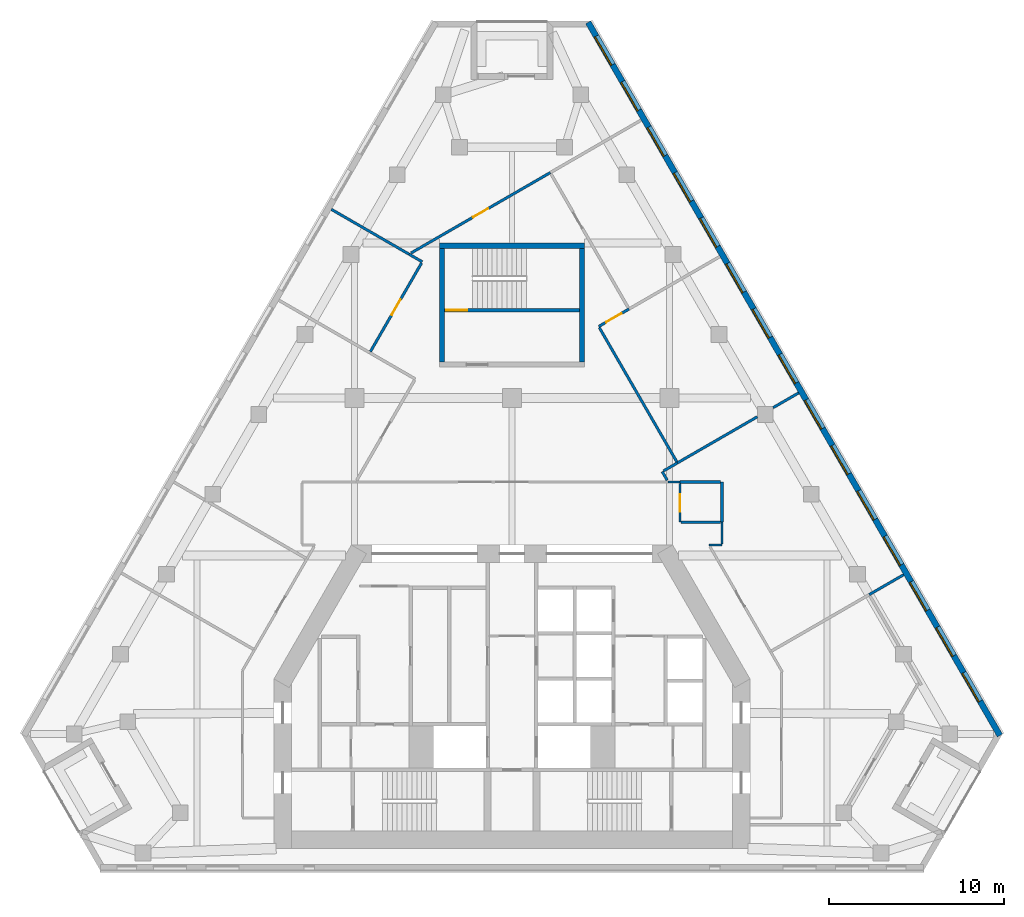
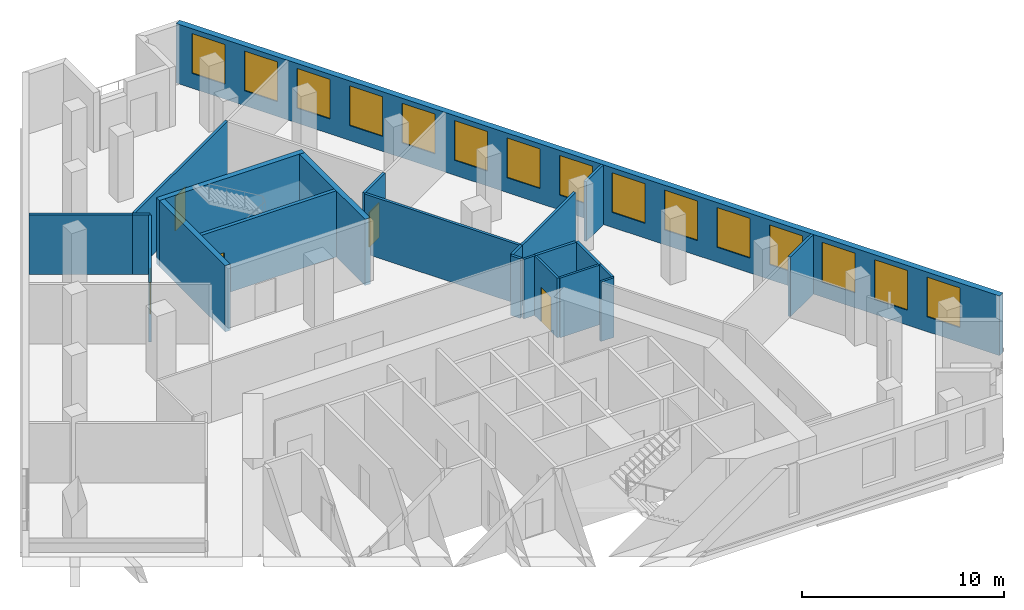
# One storey, part 7 of 9: 23 walls, 15 windows, 5 doors, 20 openings.
"""IFC4 building model written with IfcOpenShell, lengths in metres."""

from ifc_helpers import new_model, si_unit, direction, frame, frame_2d, origin, place, context, subcontext, project, spatial, rectangle, extrude, material, layer, layer_set, type_object, element, fill, save


model = new_model("IFC4")

# Units and contexts
model_context = context("Model", 3, precision=1e-05, world=origin(), true_north=direction((0.0, 1.0)))
body_context = subcontext(model_context, "Body", "Model", "MODEL_VIEW")
ifc_project = project(units=[si_unit("LENGTHUNIT", "METRE"), si_unit("AREAUNIT", "SQUARE_METRE"), si_unit("VOLUMEUNIT", "CUBIC_METRE"), si_unit("PLANEANGLEUNIT", "RADIAN"), si_unit("MASSUNIT", "GRAM", prefix="KILO")], contexts=[model_context])

# Site, building, storey
site_placement = place(None, origin())
site = spatial("IfcSite", under=ifc_project, at=site_placement, CompositionType="ELEMENT")
building_placement = place(site_placement, origin())
building = spatial("IfcBuilding", under=site, at=building_placement, Name="Fogline Exchange Tower", CompositionType="ELEMENT")
storey_placement = place(building_placement, frame((0.0, 0.0, 186.10009765625)))
storey = spatial("IfcBuildingStorey", under=building, at=storey_placement, Name="L41", CompositionType="ELEMENT", Elevation=186.10009765625)

# Wall, opening, door
ifc_material_1 = material(Name="Concrete C40", Category="concrete")
ifc_layer_1 = layer(ifc_material_1, 0.199951171875)
ifc_layer_set_1 = layer_set([ifc_layer_1], Name="CW20R")
wall_type_1 = type_object("IfcWallType", Name="CW20R", PredefinedType="SOLIDWALL", material=ifc_layer_set_1)
wall_1_placement = place(storey_placement, frame((-3.85009765625, 32.007080078125, -0.400146484375), z_axis=(0.0, 0.0, 1.0), x_axis=(1.0, 0.0, 0.0)))
wall_1 = element("IfcWall", 1, at=wall_1_placement, inside=storey, type_object=wall_type_1, Name="Stair enclosure wall ST3", PredefinedType="SOLIDWALL", context=body_context, shape_type="SweptSolid", body=[
    extrude(rectangle(XDim=7.7001953125, YDim=0.199951171875, at=frame_2d((3.85009765625, 0.0))), origin(), (0.0, 0.0, 1.0), 4.0),
])
opening_1_placement = place(wall_1_placement, frame((0.10009765625, 0.0, 0.39990234375)))
opening_1 = element("IfcOpeningElement", 2, at=opening_1_placement, cuts=wall_1, Name="Opening T13-C023", PredefinedType="OPENING", context=body_context, shape_type="SweptSolid", body=[
    extrude(rectangle(XDim=1.199951171875, YDim=2.10009765625, at=frame_2d((0.60009765625, 1.050048828125))), frame((0.0, 0.10986328125, 0.0), z_axis=(0.0, -1.0, 0.0), x_axis=(1.0, 0.0, 0.0)), (0.0, 0.0, 1.0), 0.219970703125),
])
ifc_material_2 = material(Name="Steel and timber fire door", Category="steel")
door_type_1 = type_object("IfcDoorType", Name="D-ST1", OperationType="SINGLE_SWING_LEFT", PredefinedType="DOOR", material=ifc_material_2)
door_1_placement = place(opening_1_placement, origin())
door_1 = element("IfcDoor", 3, at=door_1_placement, inside=storey, type_object=door_type_1, Name="Stair door ST3", OperationType="SINGLE_SWING_LEFT", OverallHeight=2.10009765625, OverallWidth=1.199951171875, PredefinedType="DOOR", context=body_context, shape_type="SweptSolid", body=[
    extrude(rectangle(XDim=1.199951171875, YDim=2.10009765625, at=frame_2d((0.60009765625, 1.050048828125))), frame((0.0, 0.02490234375, 0.0), z_axis=(0.0, -1.0, 0.0), x_axis=(1.0, 0.0, 0.0)), (0.0, 0.0, 1.0), 0.050048828125),
])
fill(opening_1, door_1)

# Walls
ifc_layer_2 = layer(ifc_material_1, 0.300048828125)
ifc_layer_set_2 = layer_set([ifc_layer_2], Name="CW30")
wall_type_2 = type_object("IfcWallType", Name="CW30", PredefinedType="SOLIDWALL", material=ifc_layer_set_2)
wall_2_placement = place(storey_placement, frame((-4.14990234375, 35.70703125, -0.400146484375), z_axis=(0.0, 0.0, 1.0), x_axis=(1.0, 0.0, 0.0)))
element("IfcWall", 4, at=wall_2_placement, inside=storey, type_object=wall_type_2, Name="Stair enclosure wall ST3", PredefinedType="SOLIDWALL", context=body_context, shape_type="SweptSolid", body=[
    extrude(rectangle(XDim=8.2998046875, YDim=0.300048828125, at=frame_2d((4.14990234375, 0.0))), origin(), (0.0, 0.0, 1.0), 4.0),
])
for number, where, z_axis, x_axis, name in (
    (5, (-4.0, 29.056884765625, -0.400146484375), (0.0, 0.0, 1.0), (0.0, 1.0, 0.0), "Stair enclosure wall ST3"),
    (6, (4.0, 29.056884765625, -0.400146484375), (0.0, 0.0, 1.0), (0.0, 1.0, 0.0), "Stair enclosure wall ST3"),
):
    element("IfcWall", number, at=place(storey_placement, frame(where, z_axis=z_axis, x_axis=x_axis)), inside=storey, type_object=wall_type_2, Name=name, PredefinedType="SOLIDWALL", context=body_context, shape_type="SweptSolid", body=[
        extrude(rectangle(XDim=6.5, YDim=0.300048828125, at=frame_2d((3.25, 0.0))), origin(), (0.0, 0.0, 1.0), 4.0),
    ])

# Wall, openings, windows
ifc_material_3 = material(Name="Brick masonry", Category="masonry")
ifc_layer_3 = layer(ifc_material_3, 0.340087890625)
ifc_layer_set_3 = layer_set([ifc_layer_3], Name="FW1")
wall_type_3 = type_object("IfcWallType", Name="FW1", PredefinedType="SOLIDWALL", material=ifc_layer_set_3)
wall_3_placement = place(storey_placement, frame((27.884033203125, 7.709228515625, 0.0), z_axis=(0.0, 0.0, 1.0), x_axis=(-0.499999966388, 0.86602542319, 0.0)))
wall_3 = element("IfcWall", 7, at=wall_3_placement, inside=storey, type_object=wall_type_3, Name="Brick wall L41 E", PredefinedType="SOLIDWALL", context=body_context, shape_type="SweptSolid", body=[
    extrude(rectangle(XDim=47.0625, YDim=0.340087890625, at=frame_2d((23.53125, 0.0))), origin(), (0.0, 0.0, 1.0), 3.599853515625),
])
opening_2_placement = place(wall_3_placement, frame((2.265625, 0.0, 0.89990234375)))
opening_2 = element("IfcOpeningElement", 8, at=opening_2_placement, cuts=wall_3, Name="Opening W1", PredefinedType="OPENING", context=body_context, shape_type="SweptSolid", body=[
    extrude(rectangle(XDim=1.885009765625, YDim=2.39990234375, at=frame_2d((0.9423828125, 1.199951171875))), frame((0.0, 0.18017578125, 0.0), z_axis=(0.0, -1.0, 0.0), x_axis=(1.0, 0.0, 0.0)), (0.0, 0.0, 1.0), 0.360107421875),
])
opening_3_placement = place(wall_3_placement, frame((5.265625, 0.0, 0.89990234375)))
opening_3 = element("IfcOpeningElement", 9, at=opening_3_placement, cuts=wall_3, Name="Opening W1", PredefinedType="OPENING", context=body_context, shape_type="SweptSolid", body=[
    extrude(rectangle(XDim=1.885009765625, YDim=2.39990234375, at=frame_2d((0.9423828125, 1.199951171875))), frame((0.0, 0.18017578125, 0.0), z_axis=(0.0, -1.0, 0.0), x_axis=(1.0, 0.0, 0.0)), (0.0, 0.0, 1.0), 0.360107421875),
])
opening_4_placement = place(wall_3_placement, frame((8.265625, 0.0, 0.89990234375)))
opening_4 = element("IfcOpeningElement", 10, at=opening_4_placement, cuts=wall_3, Name="Opening W1", PredefinedType="OPENING", context=body_context, shape_type="SweptSolid", body=[
    extrude(rectangle(XDim=1.885009765625, YDim=2.39990234375, at=frame_2d((0.9423828125, 1.199951171875))), frame((0.0, 0.18017578125, 0.0), z_axis=(0.0, -1.0, 0.0), x_axis=(1.0, 0.0, 0.0)), (0.0, 0.0, 1.0), 0.360107421875),
])
opening_5_placement = place(wall_3_placement, frame((11.265625, 0.0, 0.89990234375)))
opening_5 = element("IfcOpeningElement", 11, at=opening_5_placement, cuts=wall_3, Name="Opening W1", PredefinedType="OPENING", context=body_context, shape_type="SweptSolid", body=[
    extrude(rectangle(XDim=1.885009765625, YDim=2.39990234375, at=frame_2d((0.9423828125, 1.199951171875))), frame((0.0, 0.18017578125, 0.0), z_axis=(0.0, -1.0, 0.0), x_axis=(1.0, 0.0, 0.0)), (0.0, 0.0, 1.0), 0.360107421875),
])
opening_6_placement = place(wall_3_placement, frame((14.265625, 0.0, 0.89990234375)))
opening_6 = element("IfcOpeningElement", 12, at=opening_6_placement, cuts=wall_3, Name="Opening W1", PredefinedType="OPENING", context=body_context, shape_type="SweptSolid", body=[
    extrude(rectangle(XDim=1.885009765625, YDim=2.39990234375, at=frame_2d((0.9423828125, 1.199951171875))), frame((0.0, 0.18017578125, 0.0), z_axis=(0.0, -1.0, 0.0), x_axis=(1.0, 0.0, 0.0)), (0.0, 0.0, 1.0), 0.360107421875),
])
opening_7_placement = place(wall_3_placement, frame((17.265625, 0.0, 0.89990234375)))
opening_7 = element("IfcOpeningElement", 13, at=opening_7_placement, cuts=wall_3, Name="Opening W1", PredefinedType="OPENING", context=body_context, shape_type="SweptSolid", body=[
    extrude(rectangle(XDim=1.885009765625, YDim=2.39990234375, at=frame_2d((0.9423828125, 1.199951171875))), frame((0.0, 0.18017578125, 0.0), z_axis=(0.0, -1.0, 0.0), x_axis=(1.0, 0.0, 0.0)), (0.0, 0.0, 1.0), 0.360107421875),
])
opening_8_placement = place(wall_3_placement, frame((20.265625, 0.0, 0.89990234375)))
opening_8 = element("IfcOpeningElement", 14, at=opening_8_placement, cuts=wall_3, Name="Opening W1", PredefinedType="OPENING", context=body_context, shape_type="SweptSolid", body=[
    extrude(rectangle(XDim=1.885009765625, YDim=2.39990234375, at=frame_2d((0.9423828125, 1.199951171875))), frame((0.0, 0.18017578125, 0.0), z_axis=(0.0, -1.0, 0.0), x_axis=(1.0, 0.0, 0.0)), (0.0, 0.0, 1.0), 0.360107421875),
])
opening_9_placement = place(wall_3_placement, frame((23.265625, 0.0, 0.89990234375)))
opening_9 = element("IfcOpeningElement", 15, at=opening_9_placement, cuts=wall_3, Name="Opening W1", PredefinedType="OPENING", context=body_context, shape_type="SweptSolid", body=[
    extrude(rectangle(XDim=1.885009765625, YDim=2.39990234375, at=frame_2d((0.9423828125, 1.199951171875))), frame((0.0, 0.18017578125, 0.0), z_axis=(0.0, -1.0, 0.0), x_axis=(1.0, 0.0, 0.0)), (0.0, 0.0, 1.0), 0.360107421875),
])
opening_10_placement = place(wall_3_placement, frame((26.265625, 0.0, 0.89990234375)))
opening_10 = element("IfcOpeningElement", 16, at=opening_10_placement, cuts=wall_3, Name="Opening W1", PredefinedType="OPENING", context=body_context, shape_type="SweptSolid", body=[
    extrude(rectangle(XDim=1.885009765625, YDim=2.39990234375, at=frame_2d((0.9423828125, 1.199951171875))), frame((0.0, 0.18017578125, 0.0), z_axis=(0.0, -1.0, 0.0), x_axis=(1.0, 0.0, 0.0)), (0.0, 0.0, 1.0), 0.360107421875),
])
opening_11_placement = place(wall_3_placement, frame((29.265625, 0.0, 0.89990234375)))
opening_11 = element("IfcOpeningElement", 17, at=opening_11_placement, cuts=wall_3, Name="Opening W1", PredefinedType="OPENING", context=body_context, shape_type="SweptSolid", body=[
    extrude(rectangle(XDim=1.885009765625, YDim=2.39990234375, at=frame_2d((0.9423828125, 1.199951171875))), frame((0.0, 0.18017578125, 0.0), z_axis=(0.0, -1.0, 0.0), x_axis=(1.0, 0.0, 0.0)), (0.0, 0.0, 1.0), 0.360107421875),
])
opening_12_placement = place(wall_3_placement, frame((32.265625, 0.0, 0.89990234375)))
opening_12 = element("IfcOpeningElement", 18, at=opening_12_placement, cuts=wall_3, Name="Opening W1", PredefinedType="OPENING", context=body_context, shape_type="SweptSolid", body=[
    extrude(rectangle(XDim=1.885009765625, YDim=2.39990234375, at=frame_2d((0.9423828125, 1.199951171875))), frame((0.0, 0.18017578125, 0.0), z_axis=(0.0, -1.0, 0.0), x_axis=(1.0, 0.0, 0.0)), (0.0, 0.0, 1.0), 0.360107421875),
])
opening_13_placement = place(wall_3_placement, frame((35.265625, 0.0, 0.89990234375)))
opening_13 = element("IfcOpeningElement", 19, at=opening_13_placement, cuts=wall_3, Name="Opening W1", PredefinedType="OPENING", context=body_context, shape_type="SweptSolid", body=[
    extrude(rectangle(XDim=1.885009765625, YDim=2.39990234375, at=frame_2d((0.9423828125, 1.199951171875))), frame((0.0, 0.18017578125, 0.0), z_axis=(0.0, -1.0, 0.0), x_axis=(1.0, 0.0, 0.0)), (0.0, 0.0, 1.0), 0.360107421875),
])
opening_14_placement = place(wall_3_placement, frame((38.265625, 0.0, 0.89990234375)))
opening_14 = element("IfcOpeningElement", 20, at=opening_14_placement, cuts=wall_3, Name="Opening W1", PredefinedType="OPENING", context=body_context, shape_type="SweptSolid", body=[
    extrude(rectangle(XDim=1.885009765625, YDim=2.39990234375, at=frame_2d((0.9423828125, 1.199951171875))), frame((0.0, 0.18017578125, 0.0), z_axis=(0.0, -1.0, 0.0), x_axis=(1.0, 0.0, 0.0)), (0.0, 0.0, 1.0), 0.360107421875),
])
opening_15_placement = place(wall_3_placement, frame((41.265625, 0.0, 0.89990234375)))
opening_15 = element("IfcOpeningElement", 21, at=opening_15_placement, cuts=wall_3, Name="Opening W1", PredefinedType="OPENING", context=body_context, shape_type="SweptSolid", body=[
    extrude(rectangle(XDim=1.885009765625, YDim=2.39990234375, at=frame_2d((0.9423828125, 1.199951171875))), frame((0.0, 0.18017578125, 0.0), z_axis=(0.0, -1.0, 0.0), x_axis=(1.0, 0.0, 0.0)), (0.0, 0.0, 1.0), 0.360107421875),
])
opening_16_placement = place(wall_3_placement, frame((44.265625, 0.0, 0.89990234375)))
opening_16 = element("IfcOpeningElement", 22, at=opening_16_placement, cuts=wall_3, Name="Opening W1", PredefinedType="OPENING", context=body_context, shape_type="SweptSolid", body=[
    extrude(rectangle(XDim=1.885009765625, YDim=2.39990234375, at=frame_2d((0.9423828125, 1.199951171875))), frame((0.0, 0.18017578125, 0.0), z_axis=(0.0, -1.0, 0.0), x_axis=(1.0, 0.0, 0.0)), (0.0, 0.0, 1.0), 0.360107421875),
])
ifc_material_4 = material(Name="Aluminium and glass", Category="aluminium")
window_type = type_object("IfcWindowType", Name="W1", PartitioningType="SINGLE_PANEL", PredefinedType="WINDOW", material=ifc_material_4)
window_1_placement = place(opening_2_placement, origin())
window_1 = element("IfcWindow", 23, at=window_1_placement, inside=storey, type_object=window_type, Name="W1 W1", OverallHeight=2.39990234375, OverallWidth=1.885009765625, PartitioningType="SINGLE_PANEL", PredefinedType="WINDOW", context=body_context, shape_type="SweptSolid", body=[
    extrude(rectangle(XDim=1.885009765625, YDim=2.39990234375, at=frame_2d((0.9423828125, 1.199951171875))), frame((0.0, 0.110107421875, 0.0), z_axis=(0.0, -1.0, 0.0), x_axis=(1.0, 0.0, 0.0)), (0.0, 0.0, 1.0), 0.06005859375),
])
fill(opening_2, window_1)
window_2_placement = place(opening_3_placement, origin())
window_2 = element("IfcWindow", 24, at=window_2_placement, inside=storey, type_object=window_type, Name="W1 W1", OverallHeight=2.39990234375, OverallWidth=1.885009765625, PartitioningType="SINGLE_PANEL", PredefinedType="WINDOW", context=body_context, shape_type="SweptSolid", body=[
    extrude(rectangle(XDim=1.885009765625, YDim=2.39990234375, at=frame_2d((0.9423828125, 1.199951171875))), frame((0.0, 0.110107421875, 0.0), z_axis=(0.0, -1.0, 0.0), x_axis=(1.0, 0.0, 0.0)), (0.0, 0.0, 1.0), 0.06005859375),
])
fill(opening_3, window_2)
window_3_placement = place(opening_4_placement, origin())
window_3 = element("IfcWindow", 25, at=window_3_placement, inside=storey, type_object=window_type, Name="W1 W1", OverallHeight=2.39990234375, OverallWidth=1.885009765625, PartitioningType="SINGLE_PANEL", PredefinedType="WINDOW", context=body_context, shape_type="SweptSolid", body=[
    extrude(rectangle(XDim=1.885009765625, YDim=2.39990234375, at=frame_2d((0.9423828125, 1.199951171875))), frame((0.0, 0.110107421875, 0.0), z_axis=(0.0, -1.0, 0.0), x_axis=(1.0, 0.0, 0.0)), (0.0, 0.0, 1.0), 0.06005859375),
])
fill(opening_4, window_3)
window_4_placement = place(opening_5_placement, origin())
window_4 = element("IfcWindow", 26, at=window_4_placement, inside=storey, type_object=window_type, Name="W1 W1", OverallHeight=2.39990234375, OverallWidth=1.885009765625, PartitioningType="SINGLE_PANEL", PredefinedType="WINDOW", context=body_context, shape_type="SweptSolid", body=[
    extrude(rectangle(XDim=1.885009765625, YDim=2.39990234375, at=frame_2d((0.9423828125, 1.199951171875))), frame((0.0, 0.110107421875, 0.0), z_axis=(0.0, -1.0, 0.0), x_axis=(1.0, 0.0, 0.0)), (0.0, 0.0, 1.0), 0.06005859375),
])
fill(opening_5, window_4)
window_5_placement = place(opening_6_placement, origin())
window_5 = element("IfcWindow", 27, at=window_5_placement, inside=storey, type_object=window_type, Name="W1 W1", OverallHeight=2.39990234375, OverallWidth=1.885009765625, PartitioningType="SINGLE_PANEL", PredefinedType="WINDOW", context=body_context, shape_type="SweptSolid", body=[
    extrude(rectangle(XDim=1.885009765625, YDim=2.39990234375, at=frame_2d((0.9423828125, 1.199951171875))), frame((0.0, 0.110107421875, 0.0), z_axis=(0.0, -1.0, 0.0), x_axis=(1.0, 0.0, 0.0)), (0.0, 0.0, 1.0), 0.06005859375),
])
fill(opening_6, window_5)
window_6_placement = place(opening_7_placement, origin())
window_6 = element("IfcWindow", 28, at=window_6_placement, inside=storey, type_object=window_type, Name="W1 W1", OverallHeight=2.39990234375, OverallWidth=1.885009765625, PartitioningType="SINGLE_PANEL", PredefinedType="WINDOW", context=body_context, shape_type="SweptSolid", body=[
    extrude(rectangle(XDim=1.885009765625, YDim=2.39990234375, at=frame_2d((0.9423828125, 1.199951171875))), frame((0.0, 0.110107421875, 0.0), z_axis=(0.0, -1.0, 0.0), x_axis=(1.0, 0.0, 0.0)), (0.0, 0.0, 1.0), 0.06005859375),
])
fill(opening_7, window_6)
window_7_placement = place(opening_8_placement, origin())
window_7 = element("IfcWindow", 29, at=window_7_placement, inside=storey, type_object=window_type, Name="W1 W1", OverallHeight=2.39990234375, OverallWidth=1.885009765625, PartitioningType="SINGLE_PANEL", PredefinedType="WINDOW", context=body_context, shape_type="SweptSolid", body=[
    extrude(rectangle(XDim=1.885009765625, YDim=2.39990234375, at=frame_2d((0.9423828125, 1.199951171875))), frame((0.0, 0.110107421875, 0.0), z_axis=(0.0, -1.0, 0.0), x_axis=(1.0, 0.0, 0.0)), (0.0, 0.0, 1.0), 0.06005859375),
])
fill(opening_8, window_7)
window_8_placement = place(opening_9_placement, origin())
window_8 = element("IfcWindow", 30, at=window_8_placement, inside=storey, type_object=window_type, Name="W1 W1", OverallHeight=2.39990234375, OverallWidth=1.885009765625, PartitioningType="SINGLE_PANEL", PredefinedType="WINDOW", context=body_context, shape_type="SweptSolid", body=[
    extrude(rectangle(XDim=1.885009765625, YDim=2.39990234375, at=frame_2d((0.9423828125, 1.199951171875))), frame((0.0, 0.110107421875, 0.0), z_axis=(0.0, -1.0, 0.0), x_axis=(1.0, 0.0, 0.0)), (0.0, 0.0, 1.0), 0.06005859375),
])
fill(opening_9, window_8)
window_9_placement = place(opening_10_placement, origin())
window_9 = element("IfcWindow", 31, at=window_9_placement, inside=storey, type_object=window_type, Name="W1 W1", OverallHeight=2.39990234375, OverallWidth=1.885009765625, PartitioningType="SINGLE_PANEL", PredefinedType="WINDOW", context=body_context, shape_type="SweptSolid", body=[
    extrude(rectangle(XDim=1.885009765625, YDim=2.39990234375, at=frame_2d((0.9423828125, 1.199951171875))), frame((0.0, 0.110107421875, 0.0), z_axis=(0.0, -1.0, 0.0), x_axis=(1.0, 0.0, 0.0)), (0.0, 0.0, 1.0), 0.06005859375),
])
fill(opening_10, window_9)
window_10_placement = place(opening_11_placement, origin())
window_10 = element("IfcWindow", 32, at=window_10_placement, inside=storey, type_object=window_type, Name="W1 W1", OverallHeight=2.39990234375, OverallWidth=1.885009765625, PartitioningType="SINGLE_PANEL", PredefinedType="WINDOW", context=body_context, shape_type="SweptSolid", body=[
    extrude(rectangle(XDim=1.885009765625, YDim=2.39990234375, at=frame_2d((0.9423828125, 1.199951171875))), frame((0.0, 0.110107421875, 0.0), z_axis=(0.0, -1.0, 0.0), x_axis=(1.0, 0.0, 0.0)), (0.0, 0.0, 1.0), 0.06005859375),
])
fill(opening_11, window_10)
window_11_placement = place(opening_12_placement, origin())
window_11 = element("IfcWindow", 33, at=window_11_placement, inside=storey, type_object=window_type, Name="W1 W1", OverallHeight=2.39990234375, OverallWidth=1.885009765625, PartitioningType="SINGLE_PANEL", PredefinedType="WINDOW", context=body_context, shape_type="SweptSolid", body=[
    extrude(rectangle(XDim=1.885009765625, YDim=2.39990234375, at=frame_2d((0.9423828125, 1.199951171875))), frame((0.0, 0.110107421875, 0.0), z_axis=(0.0, -1.0, 0.0), x_axis=(1.0, 0.0, 0.0)), (0.0, 0.0, 1.0), 0.06005859375),
])
fill(opening_12, window_11)
window_12_placement = place(opening_13_placement, origin())
window_12 = element("IfcWindow", 34, at=window_12_placement, inside=storey, type_object=window_type, Name="W1 W1", OverallHeight=2.39990234375, OverallWidth=1.885009765625, PartitioningType="SINGLE_PANEL", PredefinedType="WINDOW", context=body_context, shape_type="SweptSolid", body=[
    extrude(rectangle(XDim=1.885009765625, YDim=2.39990234375, at=frame_2d((0.9423828125, 1.199951171875))), frame((0.0, 0.110107421875, 0.0), z_axis=(0.0, -1.0, 0.0), x_axis=(1.0, 0.0, 0.0)), (0.0, 0.0, 1.0), 0.06005859375),
])
fill(opening_13, window_12)
window_13_placement = place(opening_14_placement, origin())
window_13 = element("IfcWindow", 35, at=window_13_placement, inside=storey, type_object=window_type, Name="W1 W1", OverallHeight=2.39990234375, OverallWidth=1.885009765625, PartitioningType="SINGLE_PANEL", PredefinedType="WINDOW", context=body_context, shape_type="SweptSolid", body=[
    extrude(rectangle(XDim=1.885009765625, YDim=2.39990234375, at=frame_2d((0.9423828125, 1.199951171875))), frame((0.0, 0.110107421875, 0.0), z_axis=(0.0, -1.0, 0.0), x_axis=(1.0, 0.0, 0.0)), (0.0, 0.0, 1.0), 0.06005859375),
])
fill(opening_14, window_13)
window_14_placement = place(opening_15_placement, origin())
window_14 = element("IfcWindow", 36, at=window_14_placement, inside=storey, type_object=window_type, Name="W1 W1", OverallHeight=2.39990234375, OverallWidth=1.885009765625, PartitioningType="SINGLE_PANEL", PredefinedType="WINDOW", context=body_context, shape_type="SweptSolid", body=[
    extrude(rectangle(XDim=1.885009765625, YDim=2.39990234375, at=frame_2d((0.9423828125, 1.199951171875))), frame((0.0, 0.110107421875, 0.0), z_axis=(0.0, -1.0, 0.0), x_axis=(1.0, 0.0, 0.0)), (0.0, 0.0, 1.0), 0.06005859375),
])
fill(opening_15, window_14)
window_15_placement = place(opening_16_placement, origin())
window_15 = element("IfcWindow", 37, at=window_15_placement, inside=storey, type_object=window_type, Name="W1 W1", OverallHeight=2.39990234375, OverallWidth=1.885009765625, PartitioningType="SINGLE_PANEL", PredefinedType="WINDOW", context=body_context, shape_type="SweptSolid", body=[
    extrude(rectangle(XDim=1.885009765625, YDim=2.39990234375, at=frame_2d((0.9423828125, 1.199951171875))), frame((0.0, 0.110107421875, 0.0), z_axis=(0.0, -1.0, 0.0), x_axis=(1.0, 0.0, 0.0)), (0.0, 0.0, 1.0), 0.06005859375),
])
fill(opening_16, window_15)

# Walls
ifc_material_5 = material(Name="Plasterboard corridor partition with mineral wool, 2 layers each side")
ifc_layer_4 = layer(ifc_material_5, 0.125)
ifc_layer_set_4 = layer_set([ifc_layer_4], Name="PW2")
wall_type_4 = type_object("IfcWallType", Name="PW2", PredefinedType="PARTITIONING", material=ifc_layer_set_4)
wall_4_placement = place(storey_placement, frame((8.92919921875, 22.199951171875, 0.0), z_axis=(0.0, 0.0, 1.0), x_axis=(1.0, 0.0, 0.0)))
element("IfcWall", 38, at=wall_4_placement, inside=storey, type_object=wall_type_4, Name="wall-L41-W005", PredefinedType="PARTITIONING", context=body_context, shape_type="SweptSolid", body=[
    extrude(rectangle(XDim=0.6708984375, YDim=0.125, at=frame_2d((0.33544921875, 0.0))), origin(), (0.0, 0.0, 1.0), 3.599853515625),
])
wall_5_placement = place(storey_placement, frame((12.0, 19.89990234375, 0.0), z_axis=(0.0, 0.0, 1.0), x_axis=(0.0, -1.0, 0.0)))
element("IfcWall", 39, at=wall_5_placement, inside=storey, type_object=wall_type_4, Name="wall-L41-W006", PredefinedType="PARTITIONING", context=body_context, shape_type="SweptSolid", body=[
    extrude(rectangle(XDim=1.2373046875, YDim=0.125, at=frame_2d((0.61865234375, 0.0))), origin(), (0.0, 0.0, 1.0), 3.599853515625),
])
wall_6_placement = place(storey_placement, frame((12.0, 18.60009765625, 0.0), z_axis=(0.0, 0.0, 1.0), x_axis=(-1.0, 0.0, 0.0)))
element("IfcWall", 40, at=wall_6_placement, inside=storey, type_object=wall_type_4, Name="wall-L41-W007", PredefinedType="PARTITIONING", context=body_context, shape_type="SweptSolid", body=[
    extrude(rectangle(XDim=0.740966796875, YDim=0.125, at=frame_2d((0.37060546875, 0.0))), origin(), (0.0, 0.0, 1.0), 3.599853515625),
])

# Wall, opening, door
wall_7_placement = place(storey_placement, frame((9.60009765625, 22.125, 0.0), z_axis=(0.0, 0.0, 1.0), x_axis=(0.0, -1.0, 0.0)))
wall_7 = element("IfcWall", 41, at=wall_7_placement, inside=storey, type_object=wall_type_4, Name="wall-L41-W008", PredefinedType="PARTITIONING", context=body_context, shape_type="SweptSolid", body=[
    extrude(rectangle(XDim=2.22509765625, YDim=0.125, at=frame_2d((1.112548828125, 0.0))), origin(), (0.0, 0.0, 1.0), 3.599853515625),
])
opening_17_placement = place(wall_7_placement, frame((0.612548828125, 0.0, 0.0)))
opening_17 = element("IfcOpeningElement", 42, at=opening_17_placement, cuts=wall_7, Name="Opening T13-D003", PredefinedType="OPENING", context=body_context, shape_type="SweptSolid", body=[
    extrude(rectangle(XDim=1.0, YDim=2.10009765625, at=frame_2d((0.5, 1.050048828125))), frame((0.0, 0.072509765625, 0.0), z_axis=(0.0, -1.0, 0.0), x_axis=(1.0, 0.0, 0.0)), (0.0, 0.0, 1.0), 0.14501953125),
])
ifc_material_6 = material(Name="Fire-rated timber door leaf with steel frame", Category="steel")
door_type_2 = type_object("IfcDoorType", Name="D3", OperationType="SINGLE_SWING_LEFT", PredefinedType="DOOR", material=ifc_material_6)
door_2_placement = place(opening_17_placement, origin())
door_2 = element("IfcDoor", 43, at=door_2_placement, inside=storey, type_object=door_type_2, Name="door-L41-D003", OperationType="SINGLE_SWING_LEFT", OverallHeight=2.10009765625, OverallWidth=1.0, PredefinedType="DOOR", context=body_context, shape_type="SweptSolid", body=[
    extrude(rectangle(XDim=1.0, YDim=2.10009765625, at=frame_2d((0.5, 1.050048828125))), frame((0.0, 0.02490234375, 0.0), z_axis=(0.0, -1.0, 0.0), x_axis=(1.0, 0.0, 0.0)), (0.0, 0.0, 1.0), 0.050048828125),
])
fill(opening_17, door_2)

# Walls
wall_8_placement = place(storey_placement, frame((9.66259765625, 19.89990234375, 0.0), z_axis=(0.0, 0.0, 1.0), x_axis=(1.0, 0.0, 0.0)))
element("IfcWall", 44, at=wall_8_placement, inside=storey, type_object=wall_type_4, Name="wall-L41-W009", PredefinedType="PARTITIONING", context=body_context, shape_type="SweptSolid", body=[
    extrude(rectangle(XDim=2.262451171875, YDim=0.125, at=frame_2d((1.13134765625, 0.0))), origin(), (0.0, 0.0, 1.0), 3.599853515625),
])
ifc_material_7 = material(Name="Plasterboard demising partition with mineral wool and acoustic board")
ifc_layer_5 = layer(ifc_material_7, 0.14990234375)
ifc_layer_set_5 = layer_set([ifc_layer_5], Name="PW3")
wall_type_5 = type_object("IfcWallType", Name="PW3", PredefinedType="PARTITIONING", material=ifc_layer_set_5)
wall_9_placement = place(storey_placement, frame((12.0, 19.89990234375, 0.0), z_axis=(0.0, 0.0, 1.0), x_axis=(0.0, 1.0, 0.0)))
element("IfcWall", 45, at=wall_9_placement, inside=storey, type_object=wall_type_5, Name="wall-L41-W019", PredefinedType="PARTITIONING", context=body_context, shape_type="SweptSolid", body=[
    extrude(rectangle(XDim=2.300048828125, YDim=0.14990234375, at=frame_2d((1.14990234375, 0.0))), origin(), (0.0, 0.0, 1.0), 3.599853515625),
])
wall_10_placement = place(storey_placement, frame((11.925048828125, 22.199951171875, 0.0), z_axis=(0.0, 0.0, 1.0), x_axis=(-1.0, 0.0, 0.0)))
element("IfcWall", 46, at=wall_10_placement, inside=storey, type_object=wall_type_5, Name="wall-L41-W020", PredefinedType="PARTITIONING", context=body_context, shape_type="SweptSolid", body=[
    extrude(rectangle(XDim=2.324951171875, YDim=0.14990234375, at=frame_2d((1.16259765625, 0.0))), origin(), (0.0, 0.0, 1.0), 3.599853515625),
])
wall_11_placement = place(storey_placement, frame((9.45458984375, 23.2900390625, 0.0), z_axis=(0.0, 0.0, 1.0), x_axis=(0.866016643694, 0.500015172615, 0.0)))
element("IfcWall", 47, at=wall_11_placement, inside=storey, type_object=wall_type_5, Name="wall-L41-W021", PredefinedType="PARTITIONING", context=body_context, shape_type="SweptSolid", body=[
    extrude(rectangle(XDim=5.270263671875, YDim=0.14990234375, at=frame_2d((2.63525390625, 0.0))), origin(), (0.0, 0.0, 1.0), 3.599853515625),
])
wall_12_placement = place(storey_placement, frame((14.918701171875, 26.44482421875, 0.0), z_axis=(0.0, 0.0, 1.0), x_axis=(0.866048512801, 0.499959971872, 0.0)))
element("IfcWall", 48, at=wall_12_placement, inside=storey, type_object=wall_type_5, Name="wall-L41-W022", PredefinedType="PARTITIONING", context=body_context, shape_type="SweptSolid", body=[
    extrude(rectangle(XDim=1.690673828125, YDim=0.14990234375, at=frame_2d((0.84521484375, 0.0))), origin(), (0.0, 0.0, 1.0), 3.599853515625),
])
wall_13_placement = place(storey_placement, frame((8.871337890625, 22.30029296875, 0.0), z_axis=(0.0, 0.0, 1.0), x_axis=(-0.499946688677, 0.866056180903, 0.0)))
element("IfcWall", 49, at=wall_13_placement, inside=storey, type_object=wall_type_5, Name="wall-L41-W023", PredefinedType="PARTITIONING", context=body_context, shape_type="SweptSolid", body=[
    extrude(rectangle(XDim=0.5654296875, YDim=0.14990234375, at=frame_2d((0.28271484375, 0.0))), origin(), (0.0, 0.0, 1.0), 3.599853515625),
])
wall_14_placement = place(storey_placement, frame((8.653564453125, 22.82763671875, 0.0), z_axis=(0.0, 0.0, 1.0), x_axis=(0.866058118026, 0.49994333299, 0.0)))
element("IfcWall", 50, at=wall_14_placement, inside=storey, type_object=wall_type_5, Name="wall-L41-W024", PredefinedType="PARTITIONING", context=body_context, shape_type="SweptSolid", body=[
    extrude(rectangle(XDim=0.9248046875, YDim=0.14990234375, at=frame_2d((0.46240234375, 0.0))), origin(), (0.0, 0.0, 1.0), 3.599853515625),
])
wall_15_placement = place(storey_placement, frame((22.3828125, 16.897705078125, 0.0), z_axis=(0.0, 0.0, 1.0), x_axis=(-0.866026358377, -0.499998346593, 0.0)))
element("IfcWall", 51, at=wall_15_placement, inside=storey, type_object=wall_type_5, Name="wall-L41-W025", PredefinedType="PARTITIONING", context=body_context, shape_type="SweptSolid", body=[
    extrude(rectangle(XDim=2.2724609375, YDim=0.14990234375, at=frame_2d((1.13623046875, 0.0))), origin(), (0.0, 0.0, 1.0), 3.599853515625),
])

# Wall, opening, door
wall_16_placement = place(storey_placement, frame((4.95458984375, 31.084228515625, 0.0), z_axis=(0.0, 0.0, 1.0), x_axis=(0.866010750942, 0.50002537861, 0.0)))
wall_16 = element("IfcWall", 52, at=wall_16_placement, inside=storey, type_object=wall_type_5, Name="wall-L41-W028", PredefinedType="PARTITIONING", context=body_context, shape_type="SweptSolid", body=[
    extrude(rectangle(XDim=2.0, YDim=0.14990234375, at=frame_2d((1.0, 0.0))), origin(), (0.0, 0.0, 1.0), 3.599853515625),
])
opening_18_placement = place(wall_16_placement, frame((0.5, 0.0, 0.0)))
opening_18 = element("IfcOpeningElement", 53, at=opening_18_placement, cuts=wall_16, Name="Opening T13-D008", PredefinedType="OPENING", context=body_context, shape_type="SweptSolid", body=[
    extrude(rectangle(XDim=1.0, YDim=2.10009765625, at=frame_2d((0.5, 1.050048828125))), frame((0.0, 0.0849609375, 0.0), z_axis=(0.0, -1.0, 0.0), x_axis=(1.0, 0.0, 0.0)), (0.0, 0.0, 1.0), 0.169921875),
])
door_3_placement = place(opening_18_placement, frame((1.0, 0.0, 0.0), z_axis=(0.0, 0.0, 1.0), x_axis=(-1.0, 0.0, 0.0)))
door_3 = element("IfcDoor", 54, at=door_3_placement, inside=storey, type_object=door_type_2, Name="door-L41-D008", OperationType="SINGLE_SWING_RIGHT", OverallHeight=2.10009765625, OverallWidth=1.0, PredefinedType="DOOR", context=body_context, shape_type="SweptSolid", body=[
    extrude(rectangle(XDim=1.0, YDim=2.10009765625, at=frame_2d((0.5, 1.050048828125))), frame((0.0, 0.02490234375, 0.0), z_axis=(0.0, -1.0, 0.0), x_axis=(1.0, 0.0, 0.0)), (0.0, 0.0, 1.0), 0.050048828125),
])
fill(opening_18, door_3)

# Wall
wall_17_placement = place(storey_placement, frame((9.4169921875, 23.35498046875, 0.0), z_axis=(0.0, 0.0, 1.0), x_axis=(-0.499984337462, 0.866034446366, 0.0)))
element("IfcWall", 55, at=wall_17_placement, inside=storey, type_object=wall_type_5, Name="wall-L41-W029", PredefinedType="PARTITIONING", context=body_context, shape_type="SweptSolid", body=[
    extrude(rectangle(XDim=8.849853515625, YDim=0.14990234375, at=frame_2d((4.4248046875, 0.0))), origin(), (0.0, 0.0, 1.0), 3.599853515625),
])

# Wall, opening, door
wall_18_placement = place(storey_placement, frame((-5.772216796875, 35.28369140625, 0.0), z_axis=(0.0, 0.0, 1.0), x_axis=(0.866037383655, 0.499979249682, 0.0)))
wall_18 = element("IfcWall", 56, at=wall_18_placement, inside=storey, type_object=wall_type_5, Name="wall-L41-W032", PredefinedType="PARTITIONING", context=body_context, shape_type="SweptSolid", body=[
    extrude(rectangle(XDim=9.18994140625, YDim=0.14990234375, at=frame_2d((4.594970703125, 0.0))), origin(), (0.0, 0.0, 1.0), 3.599853515625),
])
opening_19_placement = place(wall_18_placement, frame((4.094970703125, 0.0, 0.0)))
opening_19 = element("IfcOpeningElement", 57, at=opening_19_placement, cuts=wall_18, Name="Opening T13-D010", PredefinedType="OPENING", context=body_context, shape_type="SweptSolid", body=[
    extrude(rectangle(XDim=1.0, YDim=2.10009765625, at=frame_2d((0.5, 1.050048828125))), frame((0.0, 0.0849609375, 0.0), z_axis=(0.0, -1.0, 0.0), x_axis=(1.0, 0.0, 0.0)), (0.0, 0.0, 1.0), 0.169921875),
])
door_4_placement = place(opening_19_placement, origin())
door_4 = element("IfcDoor", 58, at=door_4_placement, inside=storey, type_object=door_type_2, Name="door-L41-D010", OperationType="SINGLE_SWING_LEFT", OverallHeight=2.10009765625, OverallWidth=1.0, PredefinedType="DOOR", context=body_context, shape_type="SweptSolid", body=[
    extrude(rectangle(XDim=1.0, YDim=2.10009765625, at=frame_2d((0.5, 1.050048828125))), frame((0.0, 0.02490234375, 0.0), z_axis=(0.0, -1.0, 0.0), x_axis=(1.0, 0.0, 0.0)), (0.0, 0.0, 1.0), 0.050048828125),
])
fill(opening_19, door_4)

wall_19_placement = place(storey_placement, frame((-8.091552734375, 29.65087890625, 0.0), z_axis=(0.0, 0.0, 1.0), x_axis=(0.500012662943, 0.866018092707, 0.0)))
wall_19 = element("IfcWall", 59, at=wall_19_placement, inside=storey, type_object=wall_type_5, Name="wall-L41-W033", PredefinedType="PARTITIONING", context=body_context, shape_type="SweptSolid", body=[
    extrude(rectangle(XDim=5.849853515625, YDim=0.14990234375, at=frame_2d((2.9248046875, 0.0))), origin(), (0.0, 0.0, 1.0), 3.599853515625),
])
opening_20_placement = place(wall_19_placement, frame((2.425048828125, 0.0, 0.0)))
opening_20 = element("IfcOpeningElement", 60, at=opening_20_placement, cuts=wall_19, Name="Opening T13-D011", PredefinedType="OPENING", context=body_context, shape_type="SweptSolid", body=[
    extrude(rectangle(XDim=1.0, YDim=2.10009765625, at=frame_2d((0.5, 1.050048828125))), frame((0.0, 0.0849609375, 0.0), z_axis=(0.0, -1.0, 0.0), x_axis=(1.0, 0.0, 0.0)), (0.0, 0.0, 1.0), 0.169921875),
])
door_5_placement = place(opening_20_placement, origin())
door_5 = element("IfcDoor", 61, at=door_5_placement, inside=storey, type_object=door_type_2, Name="door-L41-D011", OperationType="SINGLE_SWING_LEFT", OverallHeight=2.10009765625, OverallWidth=1.0, PredefinedType="DOOR", context=body_context, shape_type="SweptSolid", body=[
    extrude(rectangle(XDim=1.0, YDim=2.10009765625, at=frame_2d((0.5, 1.050048828125))), frame((0.0, 0.02490234375, 0.0), z_axis=(0.0, -1.0, 0.0), x_axis=(1.0, 0.0, 0.0)), (0.0, 0.0, 1.0), 0.050048828125),
])
fill(opening_20, door_5)

# Walls
wall_20_placement = place(storey_placement, frame((-5.129150390625, 34.781982421875, 0.0), z_axis=(0.0, 0.0, 1.0), x_axis=(-0.865961984968, 0.500109828528, 0.0)))
element("IfcWall", 62, at=wall_20_placement, inside=storey, type_object=wall_type_5, Name="wall-L41-W034", PredefinedType="PARTITIONING", context=body_context, shape_type="SweptSolid", body=[
    extrude(rectangle(XDim=0.872802734375, YDim=0.14990234375, at=frame_2d((0.4365234375, 0.0))), origin(), (0.0, 0.0, 1.0), 3.599853515625),
])
wall_21_placement = place(storey_placement, frame((-5.885009765625, 35.218505859375, 0.0), z_axis=(0.0, 0.0, 1.0), x_axis=(-0.86603095744, 0.499990380663, 0.0)))
element("IfcWall", 63, at=wall_21_placement, inside=storey, type_object=wall_type_5, Name="wall-L41-W037", PredefinedType="PARTITIONING", context=body_context, shape_type="SweptSolid", body=[
    extrude(rectangle(XDim=5.126953125, YDim=0.14990234375, at=frame_2d((2.5634765625, 0.0))), origin(), (0.0, 0.0, 1.0), 3.599853515625),
])

save(model, "model.ifc")
